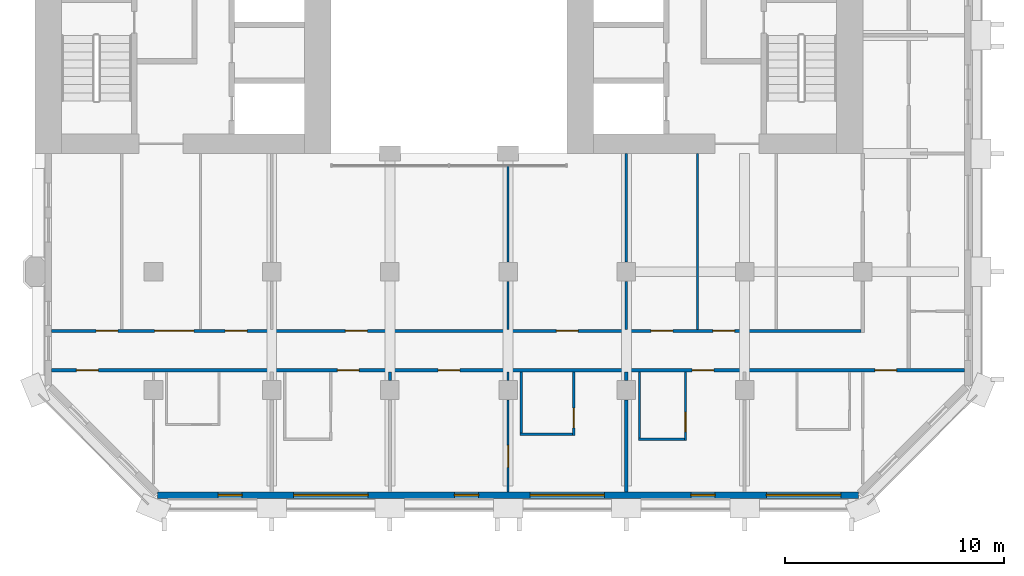
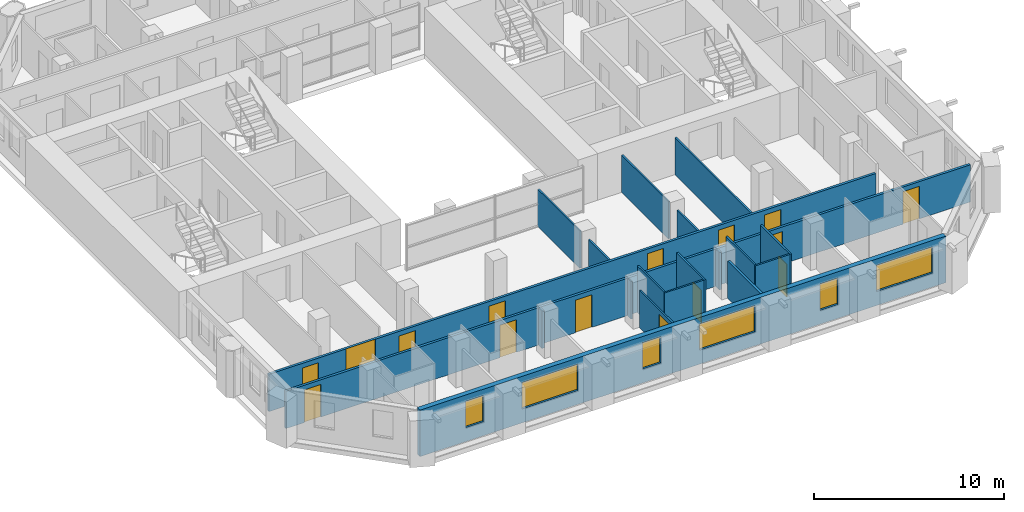
# One storey, part 6 of 13: 19 walls, 15 doors, 6 windows, 21 openings.
"""IFC4 building model written with IfcOpenShell, lengths in metres."""

from ifc_helpers import new_model, si_unit, direction, frame, frame_2d, origin, place, context, subcontext, project, spatial, rectangle, extrude, material, layer, layer_set, type_object, element, fill, save


model = new_model("IFC4")

# Units and contexts
model_context = context("Model", 3, precision=1e-05, world=origin(), true_north=direction((0.0, 1.0)))
body_context = subcontext(model_context, "Body", "Model", "MODEL_VIEW")
ifc_project = project(units=[si_unit("LENGTHUNIT", "METRE"), si_unit("AREAUNIT", "SQUARE_METRE"), si_unit("VOLUMEUNIT", "CUBIC_METRE"), si_unit("PLANEANGLEUNIT", "RADIAN"), si_unit("MASSUNIT", "GRAM", prefix="KILO")], contexts=[model_context])

# Site, building, storey
site_placement = place(None, origin())
site = spatial("IfcSite", under=ifc_project, at=site_placement, CompositionType="ELEMENT")
building_placement = place(site_placement, origin())
building = spatial("IfcBuilding", under=site, at=building_placement, Name="Tabaq Tower and Sports Hall", CompositionType="ELEMENT")
storey_placement = place(building_placement, frame((0.0, 0.0, 162.699951171875)))
storey = spatial("IfcBuildingStorey", under=building, at=storey_placement, Name="L38", CompositionType="ELEMENT", Elevation=162.699951171875)

# Wall, opening, door
ifc_material_1 = material(Name="Gypsum board on steel studs", Category="steel")
ifc_layer_1 = layer(ifc_material_1, 0.10009765625)
ifc_layer_set_1 = layer_set([ifc_layer_1], Name="Partition 100 Gypsum board")
wall_type_1 = type_object("IfcWallType", Name="Partition 100 Gypsum board", PredefinedType="PARTITIONING", material=ifc_layer_set_1)
wall_1_placement = place(storey_placement, frame((30.0, 6.22509765625, 0.0), z_axis=(0.0, 0.0, 1.0), x_axis=(0.0, -1.0, 0.0)))
wall_1 = element("IfcWall", 1, at=wall_1_placement, inside=storey, type_object=wall_type_1, Name="Partition wall L38", PredefinedType="PARTITIONING", context=body_context, shape_type="SweptSolid", body=[
    extrude(rectangle(XDim=2.900146484375, YDim=0.10009765625, at=frame_2d((1.4501953125, 0.0))), origin(), (0.0, 0.0, 1.0), 3.0),
])
opening_1_placement = place(wall_1_placement, frame((1.64990234375, 0.0, 0.0)))
opening_1 = element("IfcOpeningElement", 2, at=opening_1_placement, cuts=wall_1, Name="Opening L38-018", PredefinedType="OPENING", context=body_context, shape_type="SweptSolid", body=[
    extrude(rectangle(XDim=0.89990234375, YDim=2.10009765625, at=frame_2d((0.449951171875, 1.050048828125))), frame((0.0, 0.050048828125, 0.0), z_axis=(0.0, -1.0, 0.0), x_axis=(1.0, 0.0, 0.0)), (0.0, 0.0, 1.0), 0.10009765625),
])
ifc_material_2 = material(Name="Timber leaf in steel frame", Category="steel")
door_type_1 = type_object("IfcDoorType", Name="Internal door 900 right hand", OperationType="SINGLE_SWING_RIGHT", PredefinedType="DOOR", material=ifc_material_2)
door_1_placement = place(opening_1_placement, origin())
door_1 = element("IfcDoor", 3, at=door_1_placement, inside=storey, type_object=door_type_1, Name="Internal door L38-018", OperationType="SINGLE_SWING_RIGHT", OverallHeight=2.10009765625, OverallWidth=0.89990234375, PredefinedType="DOOR", context=body_context, shape_type="SweptSolid", body=[
    extrude(rectangle(XDim=0.89990234375, YDim=2.10009765625, at=frame_2d((0.449951171875, 1.050048828125))), frame((0.0, 0.02490234375, 0.0), z_axis=(0.0, -1.0, 0.0), x_axis=(1.0, 0.0, 0.0)), (0.0, 0.0, 1.0), 0.050048828125),
])
fill(opening_1, door_1)

# Walls
wall_2_placement = place(storey_placement, frame((29.949951171875, 3.375, 0.0), z_axis=(0.0, 0.0, 1.0), x_axis=(-1.0, 0.0, 0.0)))
element("IfcWall", 4, at=wall_2_placement, inside=storey, type_object=wall_type_1, Name="Partition wall L38", PredefinedType="PARTITIONING", context=body_context, shape_type="SweptSolid", body=[
    extrude(rectangle(XDim=2.39990234375, YDim=0.10009765625, at=frame_2d((1.199951171875, 0.0))), origin(), (0.0, 0.0, 1.0), 3.0),
])
wall_3_placement = place(storey_placement, frame((27.60009765625, 3.425048828125, 0.0), z_axis=(0.0, 0.0, 1.0), x_axis=(0.0, 1.0, 0.0)))
element("IfcWall", 5, at=wall_3_placement, inside=storey, type_object=wall_type_1, Name="Partition wall L38", PredefinedType="PARTITIONING", context=body_context, shape_type="SweptSolid", body=[
    extrude(rectangle(XDim=2.800048828125, YDim=0.10009765625, at=frame_2d((1.39990234375, 0.0))), origin(), (0.0, 0.0, 1.0), 3.0),
])
wall_4_placement = place(storey_placement, frame((27.0, 6.22509765625, 0.0), z_axis=(0.0, 0.0, 1.0), x_axis=(0.0, -1.0, 0.0)))
element("IfcWall", 6, at=wall_4_placement, inside=storey, type_object=wall_type_1, Name="Partition wall L38", PredefinedType="PARTITIONING", context=body_context, shape_type="SweptSolid", body=[
    extrude(rectangle(XDim=0.380126953125, YDim=0.10009765625, at=frame_2d((0.18994140625, 0.0))), origin(), (0.0, 0.0, 1.0), 2.400146484375),
])

# Wall, opening, door
wall_5_placement = place(storey_placement, frame((27.0, 4.955078125, 0.0), z_axis=(0.0, 0.0, 1.0), x_axis=(0.0, -1.0, 0.0)))
wall_5 = element("IfcWall", 7, at=wall_5_placement, inside=storey, type_object=wall_type_1, Name="Partition wall L38", PredefinedType="PARTITIONING", context=body_context, shape_type="SweptSolid", body=[
    extrude(rectangle(XDim=4.2041015625, YDim=0.10009765625, at=frame_2d((2.10205078125, 0.0))), origin(), (0.0, 0.0, 1.0), 2.400146484375),
])
opening_2_placement = place(wall_5_placement, frame((2.087890625, 0.0, 0.0)))
opening_2 = element("IfcOpeningElement", 8, at=opening_2_placement, cuts=wall_5, Name="Opening L38-043", PredefinedType="OPENING", context=body_context, shape_type="SweptSolid", body=[
    extrude(rectangle(XDim=1.0, YDim=2.10009765625, at=frame_2d((0.5, 1.050048828125))), frame((0.0, 0.050048828125, 0.0), z_axis=(0.0, -1.0, 0.0), x_axis=(1.0, 0.0, 0.0)), (0.0, 0.0, 1.0), 0.10009765625),
])
ifc_material_3 = material(Name="Timber leaf in steel frame", Category="steel")
door_type_2 = type_object("IfcDoorType", Name="Internal door 1000 right hand", OperationType="SINGLE_SWING_RIGHT", PredefinedType="DOOR", material=ifc_material_3)
door_2_placement = place(opening_2_placement, origin())
door_2 = element("IfcDoor", 9, at=door_2_placement, inside=storey, type_object=door_type_2, Name="Internal door L38-043", OperationType="SINGLE_SWING_RIGHT", OverallHeight=2.10009765625, OverallWidth=1.0, PredefinedType="DOOR", context=body_context, shape_type="SweptSolid", body=[
    extrude(rectangle(XDim=1.0, YDim=2.10009765625, at=frame_2d((0.5, 1.050048828125))), frame((0.0, 0.02490234375, 0.0), z_axis=(0.0, -1.0, 0.0), x_axis=(1.0, 0.0, 0.0)), (0.0, 0.0, 1.0), 0.050048828125),
])
fill(opening_2, door_2)

wall_6_placement = place(storey_placement, frame((35.10009765625, 6.22509765625, 0.0), z_axis=(0.0, 0.0, 1.0), x_axis=(0.0, -1.0, 0.0)))
wall_6 = element("IfcWall", 10, at=wall_6_placement, inside=storey, type_object=wall_type_1, Name="Partition wall L38", PredefinedType="PARTITIONING", context=body_context, shape_type="SweptSolid", body=[
    extrude(rectangle(XDim=3.125, YDim=0.10009765625, at=frame_2d((1.5625, 0.0))), origin(), (0.0, 0.0, 1.0), 3.0),
])
opening_3_placement = place(wall_6_placement, frame((1.83740234375, 0.0, 0.0)))
opening_3 = element("IfcOpeningElement", 11, at=opening_3_placement, cuts=wall_6, Name="Opening L38-019", PredefinedType="OPENING", context=body_context, shape_type="SweptSolid", body=[
    extrude(rectangle(XDim=0.89990234375, YDim=2.10009765625, at=frame_2d((0.449951171875, 1.050048828125))), frame((0.0, 0.050048828125, 0.0), z_axis=(0.0, -1.0, 0.0), x_axis=(1.0, 0.0, 0.0)), (0.0, 0.0, 1.0), 0.10009765625),
])
door_3_placement = place(opening_3_placement, origin())
door_3 = element("IfcDoor", 12, at=door_3_placement, inside=storey, type_object=door_type_1, Name="Internal door L38-019", OperationType="SINGLE_SWING_RIGHT", OverallHeight=2.10009765625, OverallWidth=0.89990234375, PredefinedType="DOOR", context=body_context, shape_type="SweptSolid", body=[
    extrude(rectangle(XDim=0.89990234375, YDim=2.10009765625, at=frame_2d((0.449951171875, 1.050048828125))), frame((0.0, 0.02490234375, 0.0), z_axis=(0.0, -1.0, 0.0), x_axis=(1.0, 0.0, 0.0)), (0.0, 0.0, 1.0), 0.050048828125),
])
fill(opening_3, door_3)

# Walls
wall_7_placement = place(storey_placement, frame((35.050048828125, 3.14990234375, 0.0), z_axis=(0.0, 0.0, 1.0), x_axis=(-1.0, 0.0, 0.0)))
element("IfcWall", 13, at=wall_7_placement, inside=storey, type_object=wall_type_1, Name="Partition wall L38", PredefinedType="PARTITIONING", context=body_context, shape_type="SweptSolid", body=[
    extrude(rectangle(XDim=2.10009765625, YDim=0.10009765625, at=frame_2d((1.050048828125, 0.0))), origin(), (0.0, 0.0, 1.0), 3.0),
])
wall_8_placement = place(storey_placement, frame((33.0, 3.199951171875, 0.0), z_axis=(0.0, 0.0, 1.0), x_axis=(0.0, 1.0, 0.0)))
element("IfcWall", 14, at=wall_8_placement, inside=storey, type_object=wall_type_1, Name="Partition wall L38", PredefinedType="PARTITIONING", context=body_context, shape_type="SweptSolid", body=[
    extrude(rectangle(XDim=3.025146484375, YDim=0.10009765625, at=frame_2d((1.5126953125, 0.0))), origin(), (0.0, 0.0, 1.0), 3.0),
])
wall_9_placement = place(storey_placement, frame((27.0, 8.175048828125, 0.0), z_axis=(0.0, 0.0, 1.0), x_axis=(0.0, 1.0, 0.0)))
element("IfcWall", 15, at=wall_9_placement, inside=storey, type_object=wall_type_1, Name="Partition wall L38", PredefinedType="PARTITIONING", context=body_context, shape_type="SweptSolid", body=[
    extrude(rectangle(XDim=2.179931640625, YDim=0.10009765625, at=frame_2d((1.08984375, 0.0))), origin(), (0.0, 0.0, 1.0), 2.400146484375),
])
wall_10_placement = place(storey_placement, frame((27.0, 11.2451171875, 0.0), z_axis=(0.0, 0.0, 1.0), x_axis=(0.0, 1.0, 0.0)))
element("IfcWall", 16, at=wall_10_placement, inside=storey, type_object=wall_type_1, Name="Partition wall L38", PredefinedType="PARTITIONING", context=body_context, shape_type="SweptSolid", body=[
    extrude(rectangle(XDim=4.4599609375, YDim=0.10009765625, at=frame_2d((2.22998046875, 0.0))), origin(), (0.0, 0.0, 1.0), 2.400146484375),
])
wall_11_placement = place(storey_placement, frame((32.39990234375, 8.175048828125, 0.0), z_axis=(0.0, 0.0, 1.0), x_axis=(0.0, 1.0, 0.0)))
element("IfcWall", 17, at=wall_11_placement, inside=storey, type_object=wall_type_1, Name="Partition wall L38", PredefinedType="PARTITIONING", context=body_context, shape_type="SweptSolid", body=[
    extrude(rectangle(XDim=2.179931640625, YDim=0.10009765625, at=frame_2d((1.08984375, 0.0))), origin(), (0.0, 0.0, 1.0), 2.400146484375),
])
wall_12_placement = place(storey_placement, frame((32.39990234375, 11.2451171875, 0.0), z_axis=(0.0, 0.0, 1.0), x_axis=(0.0, 1.0, 0.0)))
element("IfcWall", 18, at=wall_12_placement, inside=storey, type_object=wall_type_1, Name="Partition wall L38", PredefinedType="PARTITIONING", context=body_context, shape_type="SweptSolid", body=[
    extrude(rectangle(XDim=4.954833984375, YDim=0.10009765625, at=frame_2d((2.4775390625, 0.0))), origin(), (0.0, 0.0, 1.0), 2.400146484375),
])
wall_13_placement = place(storey_placement, frame((35.64990234375, 16.199951171875, 0.0), z_axis=(0.0, 0.0, 1.0), x_axis=(0.0, -1.0, 0.0)))
element("IfcWall", 19, at=wall_13_placement, inside=storey, type_object=wall_type_1, Name="Partition wall L38", PredefinedType="PARTITIONING", context=body_context, shape_type="SweptSolid", body=[
    extrude(rectangle(XDim=8.02490234375, YDim=0.10009765625, at=frame_2d((4.012451171875, 0.0))), origin(), (0.0, 0.0, 1.0), 2.400146484375),
])
ifc_material_4 = material(Name="Blockwork", Category="masonry")
ifc_layer_2 = layer(ifc_material_4, 0.14990234375)
ifc_layer_set_2 = layer_set([ifc_layer_2], Name="Separating wall 150 Blockwork")
wall_type_2 = type_object("IfcWallType", Name="Separating wall 150 Blockwork", PredefinedType="PARTITIONING", material=ifc_layer_set_2)
wall_14_placement = place(storey_placement, frame((21.60009765625, 5.844970703125, 0.0), z_axis=(0.0, 0.0, 1.0), x_axis=(0.0, 1.0, 0.0)))
element("IfcWall", 20, at=wall_14_placement, inside=storey, type_object=wall_type_2, Name="Separating wall L38", PredefinedType="PARTITIONING", context=body_context, shape_type="SweptSolid", body=[
    extrude(rectangle(XDim=0.380126953125, YDim=0.14990234375, at=frame_2d((0.18994140625, 0.0))), origin(), (0.0, 0.0, 1.0), 2.400146484375),
])
wall_15_placement = place(storey_placement, frame((32.39990234375, 0.7509765625, 0.0), z_axis=(0.0, 0.0, 1.0), x_axis=(0.0, 1.0, 0.0)))
element("IfcWall", 21, at=wall_15_placement, inside=storey, type_object=wall_type_2, Name="Separating wall L38", PredefinedType="PARTITIONING", context=body_context, shape_type="SweptSolid", body=[
    extrude(rectangle(XDim=4.2041015625, YDim=0.14990234375, at=frame_2d((2.10205078125, 0.0))), origin(), (0.0, 0.0, 1.0), 2.400146484375),
])
wall_16_placement = place(storey_placement, frame((32.39990234375, 5.844970703125, 0.0), z_axis=(0.0, 0.0, 1.0), x_axis=(0.0, 1.0, 0.0)))
element("IfcWall", 22, at=wall_16_placement, inside=storey, type_object=wall_type_2, Name="Separating wall L38", PredefinedType="PARTITIONING", context=body_context, shape_type="SweptSolid", body=[
    extrude(rectangle(XDim=0.380126953125, YDim=0.14990234375, at=frame_2d((0.18994140625, 0.0))), origin(), (0.0, 0.0, 1.0), 2.400146484375),
])

# Wall, openings, doors
wall_17_placement = place(storey_placement, frame((6.15087890625, 6.300048828125, 0.0), z_axis=(0.0, 0.0, 1.0), x_axis=(1.0, 0.0, 0.0)))
wall_17 = element("IfcWall", 23, at=wall_17_placement, inside=storey, type_object=wall_type_2, Name="Separating wall L38", PredefinedType="PARTITIONING", context=body_context, shape_type="SweptSolid", body=[
    extrude(rectangle(XDim=41.6982421875, YDim=0.14990234375, at=frame_2d((20.84912109375, 0.0))), origin(), (0.0, 0.0, 1.0), 2.400146484375),
])
opening_4_placement = place(wall_17_placement, frame((1.132080078125, 0.0, 0.0)))
opening_4 = element("IfcOpeningElement", 24, at=opening_4_placement, cuts=wall_17, Name="Opening L38-041", PredefinedType="OPENING", context=body_context, shape_type="SweptSolid", body=[
    extrude(rectangle(XDim=1.0, YDim=2.10009765625, at=frame_2d((0.5, 1.050048828125))), frame((0.0, 0.074951171875, 0.0), z_axis=(0.0, -1.0, 0.0), x_axis=(1.0, 0.0, 0.0)), (0.0, 0.0, 1.0), 0.14990234375),
])
opening_5_placement = place(wall_17_placement, frame((13.049072265625, 0.0, 0.0)))
opening_5 = element("IfcOpeningElement", 25, at=opening_5_placement, cuts=wall_17, Name="Opening L38-042", PredefinedType="OPENING", context=body_context, shape_type="SweptSolid", body=[
    extrude(rectangle(XDim=1.0, YDim=2.10009765625, at=frame_2d((0.5, 1.050048828125))), frame((0.0, 0.074951171875, 0.0), z_axis=(0.0, -1.0, 0.0), x_axis=(1.0, 0.0, 0.0)), (0.0, 0.0, 1.0), 0.14990234375),
])
opening_6_placement = place(wall_17_placement, frame((17.64892578125, 0.0, 0.0)))
opening_6 = element("IfcOpeningElement", 26, at=opening_6_placement, cuts=wall_17, Name="Opening L38-044", PredefinedType="OPENING", context=body_context, shape_type="SweptSolid", body=[
    extrude(rectangle(XDim=1.0, YDim=2.10009765625, at=frame_2d((0.5, 1.050048828125))), frame((0.0, 0.074951171875, 0.0), z_axis=(0.0, -1.0, 0.0), x_axis=(1.0, 0.0, 0.0)), (0.0, 0.0, 1.0), 0.14990234375),
])
opening_7_placement = place(wall_17_placement, frame((29.2490234375, 0.0, 0.0)))
opening_7 = element("IfcOpeningElement", 27, at=opening_7_placement, cuts=wall_17, Name="Opening L38-045", PredefinedType="OPENING", context=body_context, shape_type="SweptSolid", body=[
    extrude(rectangle(XDim=1.0, YDim=2.10009765625, at=frame_2d((0.5, 1.050048828125))), frame((0.0, 0.074951171875, 0.0), z_axis=(0.0, -1.0, 0.0), x_axis=(1.0, 0.0, 0.0)), (0.0, 0.0, 1.0), 0.14990234375),
])
opening_8_placement = place(wall_17_placement, frame((37.59912109375, 0.0, 0.0)))
opening_8 = element("IfcOpeningElement", 28, at=opening_8_placement, cuts=wall_17, Name="Opening L38-047", PredefinedType="OPENING", context=body_context, shape_type="SweptSolid", body=[
    extrude(rectangle(XDim=1.0, YDim=2.10009765625, at=frame_2d((0.5, 1.050048828125))), frame((0.0, 0.074951171875, 0.0), z_axis=(0.0, -1.0, 0.0), x_axis=(1.0, 0.0, 0.0)), (0.0, 0.0, 1.0), 0.14990234375),
])
ifc_material_5 = material(Name="Steel fire door", Category="steel")
door_type_3 = type_object("IfcDoorType", Name="Entrance door 1000 left hand", OperationType="SINGLE_SWING_LEFT", PredefinedType="DOOR", material=ifc_material_5)
door_4_placement = place(opening_6_placement, origin())
door_4 = element("IfcDoor", 29, at=door_4_placement, inside=storey, type_object=door_type_3, Name="Entrance door L38-044", OperationType="SINGLE_SWING_LEFT", OverallHeight=2.10009765625, OverallWidth=1.0, PredefinedType="DOOR", context=body_context, shape_type="SweptSolid", body=[
    extrude(rectangle(XDim=1.0, YDim=2.10009765625, at=frame_2d((0.5, 1.050048828125))), frame((0.0, 0.02490234375, 0.0), z_axis=(0.0, -1.0, 0.0), x_axis=(1.0, 0.0, 0.0)), (0.0, 0.0, 1.0), 0.050048828125),
])
fill(opening_6, door_4)
door_5_placement = place(opening_7_placement, origin())
door_5 = element("IfcDoor", 30, at=door_5_placement, inside=storey, type_object=door_type_3, Name="Entrance door L38-045", OperationType="SINGLE_SWING_LEFT", OverallHeight=2.10009765625, OverallWidth=1.0, PredefinedType="DOOR", context=body_context, shape_type="SweptSolid", body=[
    extrude(rectangle(XDim=1.0, YDim=2.10009765625, at=frame_2d((0.5, 1.050048828125))), frame((0.0, 0.02490234375, 0.0), z_axis=(0.0, -1.0, 0.0), x_axis=(1.0, 0.0, 0.0)), (0.0, 0.0, 1.0), 0.050048828125),
])
fill(opening_7, door_5)
ifc_material_6 = material(Name="Steel fire door", Category="steel")
door_type_4 = type_object("IfcDoorType", Name="Entrance door 1000 right hand", OperationType="SINGLE_SWING_RIGHT", PredefinedType="DOOR", material=ifc_material_6)
door_6_placement = place(opening_4_placement, origin())
door_6 = element("IfcDoor", 31, at=door_6_placement, inside=storey, type_object=door_type_4, Name="Entrance door L38-041", OperationType="SINGLE_SWING_RIGHT", OverallHeight=2.10009765625, OverallWidth=1.0, PredefinedType="DOOR", context=body_context, shape_type="SweptSolid", body=[
    extrude(rectangle(XDim=1.0, YDim=2.10009765625, at=frame_2d((0.5, 1.050048828125))), frame((0.0, 0.02490234375, 0.0), z_axis=(0.0, -1.0, 0.0), x_axis=(1.0, 0.0, 0.0)), (0.0, 0.0, 1.0), 0.050048828125),
])
fill(opening_4, door_6)
door_7_placement = place(opening_5_placement, origin())
door_7 = element("IfcDoor", 32, at=door_7_placement, inside=storey, type_object=door_type_4, Name="Entrance door L38-042", OperationType="SINGLE_SWING_RIGHT", OverallHeight=2.10009765625, OverallWidth=1.0, PredefinedType="DOOR", context=body_context, shape_type="SweptSolid", body=[
    extrude(rectangle(XDim=1.0, YDim=2.10009765625, at=frame_2d((0.5, 1.050048828125))), frame((0.0, 0.02490234375, 0.0), z_axis=(0.0, -1.0, 0.0), x_axis=(1.0, 0.0, 0.0)), (0.0, 0.0, 1.0), 0.050048828125),
])
fill(opening_5, door_7)
door_8_placement = place(opening_8_placement, origin())
door_8 = element("IfcDoor", 33, at=door_8_placement, inside=storey, type_object=door_type_4, Name="Entrance door L38-047", OperationType="SINGLE_SWING_RIGHT", OverallHeight=2.10009765625, OverallWidth=1.0, PredefinedType="DOOR", context=body_context, shape_type="SweptSolid", body=[
    extrude(rectangle(XDim=1.0, YDim=2.10009765625, at=frame_2d((0.5, 1.050048828125))), frame((0.0, 0.02490234375, 0.0), z_axis=(0.0, -1.0, 0.0), x_axis=(1.0, 0.0, 0.0)), (0.0, 0.0, 1.0), 0.050048828125),
])
fill(opening_8, door_8)

wall_18_placement = place(storey_placement, frame((6.15087890625, 8.10009765625, 0.0), z_axis=(0.0, 0.0, 1.0), x_axis=(1.0, 0.0, 0.0)))
wall_18 = element("IfcWall", 34, at=wall_18_placement, inside=storey, type_object=wall_type_2, Name="Separating wall L38", PredefinedType="PARTITIONING", context=body_context, shape_type="SweptSolid", body=[
    extrude(rectangle(XDim=36.97412109375, YDim=0.14990234375, at=frame_2d((18.487060546875, 0.0))), origin(), (0.0, 0.0, 1.0), 2.400146484375),
])
opening_9_placement = place(wall_18_placement, frame((13.416015625, 0.0, 0.0)))
opening_9 = element("IfcOpeningElement", 35, at=opening_9_placement, cuts=wall_18, Name="Opening L38-021", PredefinedType="OPENING", context=body_context, shape_type="SweptSolid", body=[
    extrude(rectangle(XDim=1.0, YDim=2.10009765625, at=frame_2d((0.5, 1.050048828125))), frame((0.0, 0.074951171875, 0.0), z_axis=(0.0, -1.0, 0.0), x_axis=(1.0, 0.0, 0.0)), (0.0, 0.0, 1.0), 0.14990234375),
])
opening_10_placement = place(wall_18_placement, frame((23.049072265625, 0.0, 0.0)))
opening_10 = element("IfcOpeningElement", 36, at=opening_10_placement, cuts=wall_18, Name="Opening L38-022", PredefinedType="OPENING", context=body_context, shape_type="SweptSolid", body=[
    extrude(rectangle(XDim=1.0, YDim=2.10009765625, at=frame_2d((0.5, 1.050048828125))), frame((0.0, 0.074951171875, 0.0), z_axis=(0.0, -1.0, 0.0), x_axis=(1.0, 0.0, 0.0)), (0.0, 0.0, 1.0), 0.14990234375),
])
opening_11_placement = place(wall_18_placement, frame((2.029052734375, 0.0, 0.0)))
opening_11 = element("IfcOpeningElement", 37, at=opening_11_placement, cuts=wall_18, Name="Opening L38-024", PredefinedType="OPENING", context=body_context, shape_type="SweptSolid", body=[
    extrude(rectangle(XDim=1.0, YDim=2.10009765625, at=frame_2d((0.5, 1.050048828125))), frame((0.0, 0.074951171875, 0.0), z_axis=(0.0, -1.0, 0.0), x_axis=(1.0, 0.0, 0.0)), (0.0, 0.0, 1.0), 0.14990234375),
])
opening_12_placement = place(wall_18_placement, frame((27.3740234375, 0.0, 0.0)))
opening_12 = element("IfcOpeningElement", 38, at=opening_12_placement, cuts=wall_18, Name="Opening L38-025", PredefinedType="OPENING", context=body_context, shape_type="SweptSolid", body=[
    extrude(rectangle(XDim=1.0, YDim=2.10009765625, at=frame_2d((0.5, 1.050048828125))), frame((0.0, 0.074951171875, 0.0), z_axis=(0.0, -1.0, 0.0), x_axis=(1.0, 0.0, 0.0)), (0.0, 0.0, 1.0), 0.14990234375),
])
opening_13_placement = place(wall_18_placement, frame((7.924072265625, 0.0, 0.0)))
opening_13 = element("IfcOpeningElement", 39, at=opening_13_placement, cuts=wall_18, Name="Opening L38-027", PredefinedType="OPENING", context=body_context, shape_type="SweptSolid", body=[
    extrude(rectangle(XDim=1.0, YDim=2.10009765625, at=frame_2d((0.5, 1.050048828125))), frame((0.0, 0.074951171875, 0.0), z_axis=(0.0, -1.0, 0.0), x_axis=(1.0, 0.0, 0.0)), (0.0, 0.0, 1.0), 0.14990234375),
])
opening_14_placement = place(wall_18_placement, frame((4.698974609375, 0.0, 0.0)))
opening_14 = element("IfcOpeningElement", 40, at=opening_14_placement, cuts=wall_18, Name="Opening L38-048", PredefinedType="OPENING", context=body_context, shape_type="SweptSolid", body=[
    extrude(rectangle(XDim=1.800048828125, YDim=2.39990234375, at=frame_2d((0.89990234375, 1.199951171875))), frame((0.0, 0.074951171875, 0.0), z_axis=(0.0, -1.0, 0.0), x_axis=(1.0, 0.0, 0.0)), (0.0, 0.0, 1.0), 0.14990234375),
])
opening_15_placement = place(wall_18_placement, frame((30.198974609375, 0.0, 0.0)))
opening_15 = element("IfcOpeningElement", 41, at=opening_15_placement, cuts=wall_18, Name="Opening L38-049", PredefinedType="OPENING", context=body_context, shape_type="SweptSolid", body=[
    extrude(rectangle(XDim=1.0, YDim=2.10009765625, at=frame_2d((0.5, 1.050048828125))), frame((0.0, 0.074951171875, 0.0), z_axis=(0.0, -1.0, 0.0), x_axis=(1.0, 0.0, 0.0)), (0.0, 0.0, 1.0), 0.14990234375),
])
ifc_material_7 = material(Name="Timber leaf in steel frame", Category="steel")
door_type_5 = type_object("IfcDoorType", Name="Internal door 1000 left hand", OperationType="SINGLE_SWING_LEFT", PredefinedType="DOOR", material=ifc_material_7)
door_9_placement = place(opening_10_placement, origin())
door_9 = element("IfcDoor", 42, at=door_9_placement, inside=storey, type_object=door_type_5, Name="Internal door L38-022", OperationType="SINGLE_SWING_LEFT", OverallHeight=2.10009765625, OverallWidth=1.0, PredefinedType="DOOR", context=body_context, shape_type="SweptSolid", body=[
    extrude(rectangle(XDim=1.0, YDim=2.10009765625, at=frame_2d((0.5, 1.050048828125))), frame((0.0, 0.02490234375, 0.0), z_axis=(0.0, -1.0, 0.0), x_axis=(1.0, 0.0, 0.0)), (0.0, 0.0, 1.0), 0.050048828125),
])
fill(opening_10, door_9)
door_10_placement = place(opening_11_placement, origin())
door_10 = element("IfcDoor", 43, at=door_10_placement, inside=storey, type_object=door_type_5, Name="Internal door L38-024", OperationType="SINGLE_SWING_LEFT", OverallHeight=2.10009765625, OverallWidth=1.0, PredefinedType="DOOR", context=body_context, shape_type="SweptSolid", body=[
    extrude(rectangle(XDim=1.0, YDim=2.10009765625, at=frame_2d((0.5, 1.050048828125))), frame((0.0, 0.02490234375, 0.0), z_axis=(0.0, -1.0, 0.0), x_axis=(1.0, 0.0, 0.0)), (0.0, 0.0, 1.0), 0.050048828125),
])
fill(opening_11, door_10)
door_11_placement = place(opening_15_placement, origin())
door_11 = element("IfcDoor", 44, at=door_11_placement, inside=storey, type_object=door_type_5, Name="Internal door L38-049", OperationType="SINGLE_SWING_LEFT", OverallHeight=2.10009765625, OverallWidth=1.0, PredefinedType="DOOR", context=body_context, shape_type="SweptSolid", body=[
    extrude(rectangle(XDim=1.0, YDim=2.10009765625, at=frame_2d((0.5, 1.050048828125))), frame((0.0, 0.02490234375, 0.0), z_axis=(0.0, -1.0, 0.0), x_axis=(1.0, 0.0, 0.0)), (0.0, 0.0, 1.0), 0.050048828125),
])
fill(opening_15, door_11)
door_12_placement = place(opening_9_placement, origin())
door_12 = element("IfcDoor", 45, at=door_12_placement, inside=storey, type_object=door_type_2, Name="Internal door L38-021", OperationType="SINGLE_SWING_RIGHT", OverallHeight=2.10009765625, OverallWidth=1.0, PredefinedType="DOOR", context=body_context, shape_type="SweptSolid", body=[
    extrude(rectangle(XDim=1.0, YDim=2.10009765625, at=frame_2d((0.5, 1.050048828125))), frame((0.0, 0.02490234375, 0.0), z_axis=(0.0, -1.0, 0.0), x_axis=(1.0, 0.0, 0.0)), (0.0, 0.0, 1.0), 0.050048828125),
])
fill(opening_9, door_12)
door_13_placement = place(opening_12_placement, origin())
door_13 = element("IfcDoor", 46, at=door_13_placement, inside=storey, type_object=door_type_2, Name="Internal door L38-025", OperationType="SINGLE_SWING_RIGHT", OverallHeight=2.10009765625, OverallWidth=1.0, PredefinedType="DOOR", context=body_context, shape_type="SweptSolid", body=[
    extrude(rectangle(XDim=1.0, YDim=2.10009765625, at=frame_2d((0.5, 1.050048828125))), frame((0.0, 0.02490234375, 0.0), z_axis=(0.0, -1.0, 0.0), x_axis=(1.0, 0.0, 0.0)), (0.0, 0.0, 1.0), 0.050048828125),
])
fill(opening_12, door_13)
door_14_placement = place(opening_13_placement, origin())
door_14 = element("IfcDoor", 47, at=door_14_placement, inside=storey, type_object=door_type_2, Name="Internal door L38-027", OperationType="SINGLE_SWING_RIGHT", OverallHeight=2.10009765625, OverallWidth=1.0, PredefinedType="DOOR", context=body_context, shape_type="SweptSolid", body=[
    extrude(rectangle(XDim=1.0, YDim=2.10009765625, at=frame_2d((0.5, 1.050048828125))), frame((0.0, 0.02490234375, 0.0), z_axis=(0.0, -1.0, 0.0), x_axis=(1.0, 0.0, 0.0)), (0.0, 0.0, 1.0), 0.050048828125),
])
fill(opening_13, door_14)
ifc_material_8 = material(Name="Timber leaf in steel frame", Category="steel")
door_type_6 = type_object("IfcDoorType", Name="Internal door 1800", OperationType="DOUBLE_DOOR_SINGLE_SWING", PredefinedType="DOOR", material=ifc_material_8)
door_15_placement = place(opening_14_placement, origin())
door_15 = element("IfcDoor", 48, at=door_15_placement, inside=storey, type_object=door_type_6, Name="Internal door L38-048", OperationType="DOUBLE_DOOR_SINGLE_SWING", OverallHeight=2.39990234375, OverallWidth=1.800048828125, PredefinedType="DOOR", context=body_context, shape_type="SweptSolid", body=[
    extrude(rectangle(XDim=1.800048828125, YDim=2.39990234375, at=frame_2d((0.89990234375, 1.199951171875))), frame((0.0, 0.02490234375, 0.0), z_axis=(0.0, -1.0, 0.0), x_axis=(1.0, 0.0, 0.0)), (0.0, 0.0, 1.0), 0.050048828125),
])
fill(opening_14, door_15)

# Wall, openings, windows
ifc_material_9 = material(Name="White precast concrete C60/75", Category="concrete")
ifc_layer_3 = layer(ifc_material_9, 0.300048828125)
ifc_layer_set_3 = layer_set([ifc_layer_3], Name="White precast concrete C60/75 external wall 300")
wall_type_3 = type_object("IfcWallType", Name="White precast concrete C60/75 external wall 300", PredefinedType="SOLIDWALL", material=ifc_layer_set_3)
wall_19_placement = place(storey_placement, frame((10.986328125, 0.60009765625, 0.0), z_axis=(0.0, 0.0, 1.0), x_axis=(1.0, 0.0, 0.0)))
wall_19 = element("IfcWall", 49, at=wall_19_placement, inside=storey, type_object=wall_type_3, Name="External Wall L38 S", PredefinedType="SOLIDWALL", context=body_context, shape_type="SweptSolid", body=[
    extrude(rectangle(XDim=32.02734375, YDim=0.300048828125, at=frame_2d((16.013671875, 0.0))), origin(), (0.0, 0.0, 1.0), 3.0),
])
opening_16_placement = place(wall_19_placement, frame((2.763671875, 0.0, 0.89990234375)))
opening_16 = element("IfcOpeningElement", 50, at=opening_16_placement, cuts=wall_19, Name="Opening W1B", PredefinedType="OPENING", context=body_context, shape_type="SweptSolid", body=[
    extrude(rectangle(XDim=1.10009765625, YDim=1.699951171875, at=frame_2d((0.550048828125, 0.85009765625))), frame((0.0, 0.16015625, 0.0), z_axis=(0.0, -1.0, 0.0), x_axis=(1.0, 0.0, 0.0)), (0.0, 0.0, 1.0), 0.320068359375),
])
opening_17_placement = place(wall_19_placement, frame((6.213623046875, 0.0, 0.89990234375)))
opening_17 = element("IfcOpeningElement", 51, at=opening_17_placement, cuts=wall_19, Name="Opening W1A", PredefinedType="OPENING", context=body_context, shape_type="SweptSolid", body=[
    extrude(rectangle(XDim=3.39990234375, YDim=1.699951171875, at=frame_2d((1.699951171875, 0.85009765625))), frame((0.0, 0.16015625, 0.0), z_axis=(0.0, -1.0, 0.0), x_axis=(1.0, 0.0, 0.0)), (0.0, 0.0, 1.0), 0.320068359375),
])
opening_18_placement = place(wall_19_placement, frame((13.563720703125, 0.0, 0.89990234375)))
opening_18 = element("IfcOpeningElement", 52, at=opening_18_placement, cuts=wall_19, Name="Opening W1B", PredefinedType="OPENING", context=body_context, shape_type="SweptSolid", body=[
    extrude(rectangle(XDim=1.10009765625, YDim=1.699951171875, at=frame_2d((0.550048828125, 0.85009765625))), frame((0.0, 0.16015625, 0.0), z_axis=(0.0, -1.0, 0.0), x_axis=(1.0, 0.0, 0.0)), (0.0, 0.0, 1.0), 0.320068359375),
])
opening_19_placement = place(wall_19_placement, frame((17.013671875, 0.0, 0.89990234375)))
opening_19 = element("IfcOpeningElement", 53, at=opening_19_placement, cuts=wall_19, Name="Opening W1A", PredefinedType="OPENING", context=body_context, shape_type="SweptSolid", body=[
    extrude(rectangle(XDim=3.39990234375, YDim=1.699951171875, at=frame_2d((1.699951171875, 0.85009765625))), frame((0.0, 0.16015625, 0.0), z_axis=(0.0, -1.0, 0.0), x_axis=(1.0, 0.0, 0.0)), (0.0, 0.0, 1.0), 0.320068359375),
])
opening_20_placement = place(wall_19_placement, frame((24.363525390625, 0.0, 0.89990234375)))
opening_20 = element("IfcOpeningElement", 54, at=opening_20_placement, cuts=wall_19, Name="Opening W1B", PredefinedType="OPENING", context=body_context, shape_type="SweptSolid", body=[
    extrude(rectangle(XDim=1.10009765625, YDim=1.699951171875, at=frame_2d((0.550048828125, 0.85009765625))), frame((0.0, 0.16015625, 0.0), z_axis=(0.0, -1.0, 0.0), x_axis=(1.0, 0.0, 0.0)), (0.0, 0.0, 1.0), 0.320068359375),
])
opening_21_placement = place(wall_19_placement, frame((27.813720703125, 0.0, 0.89990234375)))
opening_21 = element("IfcOpeningElement", 55, at=opening_21_placement, cuts=wall_19, Name="Opening W1A", PredefinedType="OPENING", context=body_context, shape_type="SweptSolid", body=[
    extrude(rectangle(XDim=3.39990234375, YDim=1.699951171875, at=frame_2d((1.699951171875, 0.85009765625))), frame((0.0, 0.16015625, 0.0), z_axis=(0.0, -1.0, 0.0), x_axis=(1.0, 0.0, 0.0)), (0.0, 0.0, 1.0), 0.320068359375),
])
ifc_material_10 = material(Name="Aluminium framed clear glazing", Category="aluminium")
window_type_1 = type_object("IfcWindowType", Name="Window W1A", PartitioningType="SINGLE_PANEL", PredefinedType="WINDOW", material=ifc_material_10)
window_1_placement = place(opening_17_placement, origin())
window_1 = element("IfcWindow", 56, at=window_1_placement, inside=storey, type_object=window_type_1, Name="Window W1A L38", OverallHeight=1.699951171875, OverallWidth=3.39990234375, PartitioningType="SINGLE_PANEL", PredefinedType="WINDOW", context=body_context, shape_type="SweptSolid", body=[
    extrude(rectangle(XDim=3.39990234375, YDim=1.699951171875, at=frame_2d((1.699951171875, 0.85009765625))), frame((0.0, 0.030029296875, 0.0), z_axis=(0.0, -1.0, 0.0), x_axis=(1.0, 0.0, 0.0)), (0.0, 0.0, 1.0), 0.06005859375),
])
fill(opening_17, window_1)
window_2_placement = place(opening_19_placement, origin())
window_2 = element("IfcWindow", 57, at=window_2_placement, inside=storey, type_object=window_type_1, Name="Window W1A L38", OverallHeight=1.699951171875, OverallWidth=3.39990234375, PartitioningType="SINGLE_PANEL", PredefinedType="WINDOW", context=body_context, shape_type="SweptSolid", body=[
    extrude(rectangle(XDim=3.39990234375, YDim=1.699951171875, at=frame_2d((1.699951171875, 0.85009765625))), frame((0.0, 0.030029296875, 0.0), z_axis=(0.0, -1.0, 0.0), x_axis=(1.0, 0.0, 0.0)), (0.0, 0.0, 1.0), 0.06005859375),
])
fill(opening_19, window_2)
window_3_placement = place(opening_21_placement, origin())
window_3 = element("IfcWindow", 58, at=window_3_placement, inside=storey, type_object=window_type_1, Name="Window W1A L38", OverallHeight=1.699951171875, OverallWidth=3.39990234375, PartitioningType="SINGLE_PANEL", PredefinedType="WINDOW", context=body_context, shape_type="SweptSolid", body=[
    extrude(rectangle(XDim=3.39990234375, YDim=1.699951171875, at=frame_2d((1.699951171875, 0.85009765625))), frame((0.0, 0.030029296875, 0.0), z_axis=(0.0, -1.0, 0.0), x_axis=(1.0, 0.0, 0.0)), (0.0, 0.0, 1.0), 0.06005859375),
])
fill(opening_21, window_3)
ifc_material_11 = material(Name="Aluminium framed clear glazing", Category="aluminium")
window_type_2 = type_object("IfcWindowType", Name="Window W1B", PartitioningType="SINGLE_PANEL", PredefinedType="WINDOW", material=ifc_material_11)
window_4_placement = place(opening_16_placement, origin())
window_4 = element("IfcWindow", 59, at=window_4_placement, inside=storey, type_object=window_type_2, Name="Window W1B L38", OverallHeight=1.699951171875, OverallWidth=1.10009765625, PartitioningType="SINGLE_PANEL", PredefinedType="WINDOW", context=body_context, shape_type="SweptSolid", body=[
    extrude(rectangle(XDim=1.10009765625, YDim=1.699951171875, at=frame_2d((0.550048828125, 0.85009765625))), frame((0.0, 0.030029296875, 0.0), z_axis=(0.0, -1.0, 0.0), x_axis=(1.0, 0.0, 0.0)), (0.0, 0.0, 1.0), 0.06005859375),
])
fill(opening_16, window_4)
window_5_placement = place(opening_18_placement, origin())
window_5 = element("IfcWindow", 60, at=window_5_placement, inside=storey, type_object=window_type_2, Name="Window W1B L38", OverallHeight=1.699951171875, OverallWidth=1.10009765625, PartitioningType="SINGLE_PANEL", PredefinedType="WINDOW", context=body_context, shape_type="SweptSolid", body=[
    extrude(rectangle(XDim=1.10009765625, YDim=1.699951171875, at=frame_2d((0.550048828125, 0.85009765625))), frame((0.0, 0.030029296875, 0.0), z_axis=(0.0, -1.0, 0.0), x_axis=(1.0, 0.0, 0.0)), (0.0, 0.0, 1.0), 0.06005859375),
])
fill(opening_18, window_5)
window_6_placement = place(opening_20_placement, origin())
window_6 = element("IfcWindow", 61, at=window_6_placement, inside=storey, type_object=window_type_2, Name="Window W1B L38", OverallHeight=1.699951171875, OverallWidth=1.10009765625, PartitioningType="SINGLE_PANEL", PredefinedType="WINDOW", context=body_context, shape_type="SweptSolid", body=[
    extrude(rectangle(XDim=1.10009765625, YDim=1.699951171875, at=frame_2d((0.550048828125, 0.85009765625))), frame((0.0, 0.030029296875, 0.0), z_axis=(0.0, -1.0, 0.0), x_axis=(1.0, 0.0, 0.0)), (0.0, 0.0, 1.0), 0.06005859375),
])
fill(opening_20, window_6)

save(model, "model.ifc")
